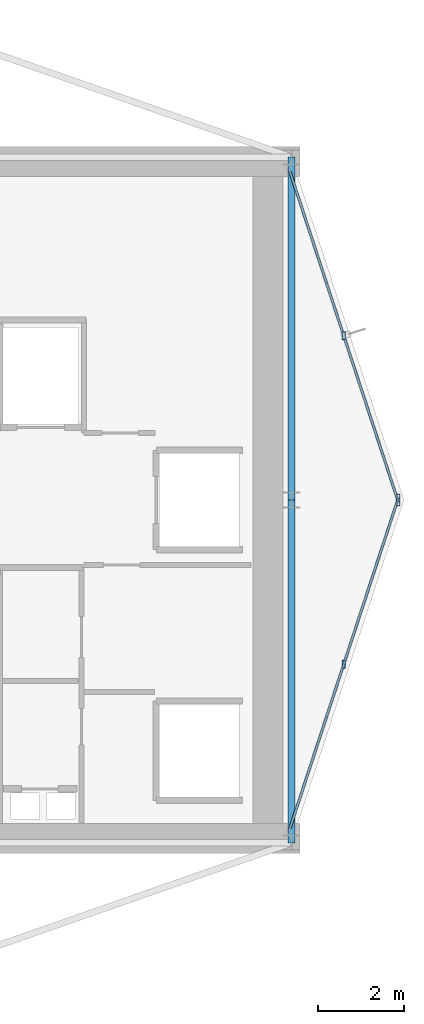
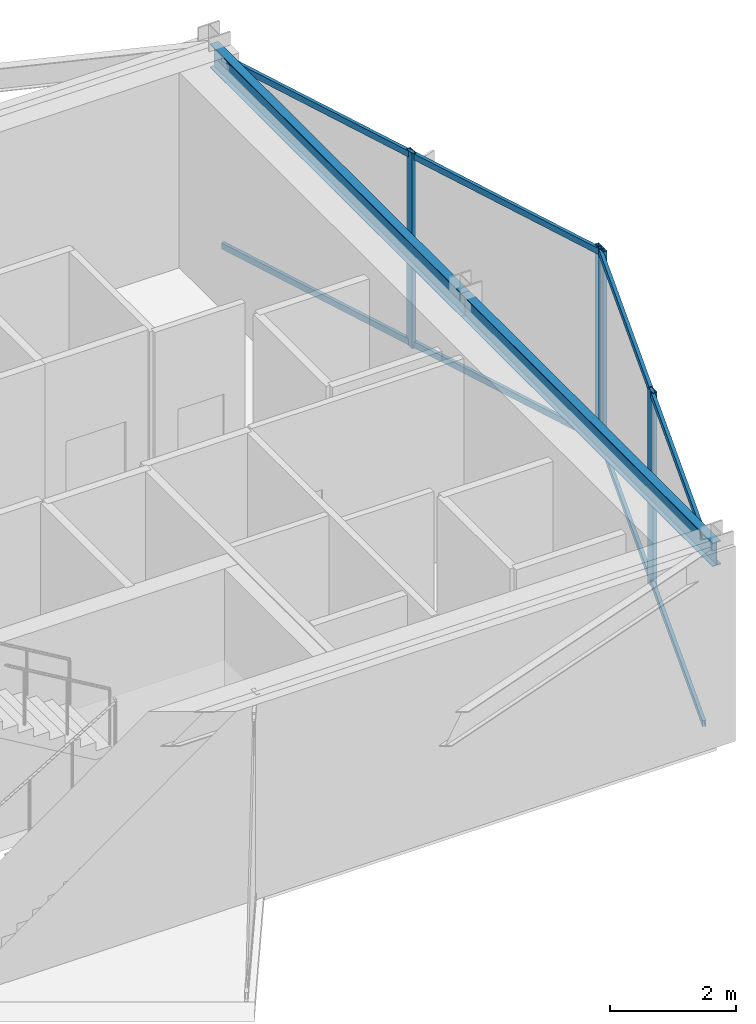
# One storey, part 15 of 23: 8 members, 2 beams, 2 elements without a shape of their own.
"""IFC4 building model written with IfcOpenShell, lengths in metres."""

import ifcopenshell
import ifcopenshell.guid

model = None  # the IFC model being written
_history = None  # IfcOwnerHistory: only IFC2X3 demands one
_inside = {}  # id of a spatial element -> (the spatial element, [elements in it])
_under = {}  # id of a project, library or spatial element -> (it, [spatial elements below it])
_declared = {}  # id of a project -> (the project, [libraries it declares])
_typed = {}  # id of a type object -> (the type object, [elements of that type])
_made_of = {}  # id of a material, layer set ... -> (it, [elements and type objects made of it])


def new_model(schema):
    """Start an empty IFC model of exactly this schema.

    Asked for "IFC4X3", IfcOpenShell would pick the latest addendum, in which some entities
    have other attributes; the version numbers below select the first issue.
    IFC2X3 requires an IfcOwnerHistory on every rooted entity: one is made here for all.
    """
    global model, _history
    if schema == "IFC4X3":
        model = ifcopenshell.file(schema_version=(4, 3, 0, 0))
    else:
        model = ifcopenshell.file(schema=schema)
    _inside.clear()
    _under.clear()
    _declared.clear()
    _typed.clear()
    _made_of.clear()
    _history = None
    if model.schema == "IFC2X3":
        org = make("IfcOrganization", Name="unknown")
        user = make(
            "IfcPersonAndOrganization",
            ThePerson=make("IfcPerson", FamilyName="unknown"),
            TheOrganization=org,
        )
        app = make(
            "IfcApplication",
            ApplicationDeveloper=org,
            Version="unknown",
            ApplicationFullName="unknown",
            ApplicationIdentifier="unknown",
        )
        _history = make(
            "IfcOwnerHistory",
            OwningUser=user,
            OwningApplication=app,
            ChangeAction="ADDED",
            CreationDate=0,
        )
    return model


def make(cls, **values):
    """One entity of the class cls with the attributes given. An attribute that is None is left unset."""
    return model.create_entity(
        cls, **{name: value for name, value in values.items() if value is not None}
    )


def rooted(cls, **values):
    """An entity with a GlobalId (a new one), such as an element, a storey or a relation."""
    return make(cls, GlobalId=ifcopenshell.guid.new(), OwnerHistory=_history, **values)


def si_unit(unit_type, name, prefix=None):
    """IfcSIUnit, for example si_unit("LENGTHUNIT", "METRE", prefix="MILLI")."""
    return make("IfcSIUnit", UnitType=unit_type, Prefix=prefix, Name=name)


def assignment(units):
    """IfcUnitAssignment: the units of a project."""
    return None if units is None else make("IfcUnitAssignment", Units=units)


def point(xyz):
    """IfcCartesianPoint."""
    return None if xyz is None else make("IfcCartesianPoint", Coordinates=xyz)


def direction(xyz):
    """IfcDirection."""
    return None if xyz is None else make("IfcDirection", DirectionRatios=xyz)


def frame(location, z_axis=None, x_axis=None):
    """IfcAxis2Placement3D, a coordinate frame: its origin and axes. An axis left out is left unset."""
    return make(
        "IfcAxis2Placement3D",
        Location=point(location),
        Axis=direction(z_axis),
        RefDirection=direction(x_axis),
    )


def frame_2d(location, x_axis=None):
    """IfcAxis2Placement2D, a coordinate frame in the plane: its origin and x axis."""
    return make(
        "IfcAxis2Placement2D", Location=point(location), RefDirection=direction(x_axis)
    )


def origin():
    """The frame at (0, 0, 0) with its axes left unset."""
    return frame((0.0, 0.0, 0.0))


def origin_2d():
    """The frame at (0, 0) in the plane with its x axis left unset."""
    return frame_2d((0.0, 0.0))


def place(relative_to, where):
    """IfcLocalPlacement: puts the frame where relative to a parent placement (None: the world)."""
    return make(
        "IfcLocalPlacement", PlacementRelTo=relative_to, RelativePlacement=where
    )


def context(
    kind, dimensions, precision=None, world=None, true_north=None, identifier=None
):
    """IfcGeometricRepresentationContext, for example the 3D "Model" context."""
    return make(
        "IfcGeometricRepresentationContext",
        ContextIdentifier=identifier,
        ContextType=kind,
        CoordinateSpaceDimension=dimensions,
        Precision=precision,
        WorldCoordinateSystem=world,
        TrueNorth=true_north,
    )


def subcontext(parent, identifier, kind, view, scale=None):
    """IfcGeometricRepresentationSubContext, for example "Body" below "Model"."""
    return make(
        "IfcGeometricRepresentationSubContext",
        ContextIdentifier=identifier,
        ContextType=kind,
        ParentContext=parent,
        TargetScale=scale,
        TargetView=view,
    )


def project(units=None, contexts=None):
    """IfcProject with its units and contexts."""
    return rooted(
        "IfcProject",
        Name="project",
        RepresentationContexts=contexts,
        UnitsInContext=assignment(units),
    )


def spatial(cls, under=None, at=None, **own):
    """A site, building, storey or space (cls), placed at a placement, below another one or the project."""
    s = rooted(cls, ObjectPlacement=at, **own)
    if under is not None:
        _under.setdefault(under.id(), (under, []))[1].append(s)
    return s


def profile(cls, at=None, kind="AREA", **sizes):
    """A parametric profile (cls). Its sizes go by their IFC names, for example OverallWidth=200.0."""
    return make(cls, ProfileType=kind, Position=at, **sizes)


def hollow_rectangle(**sizes):
    """IfcRectangleHollowProfileDef."""
    return profile("IfcRectangleHollowProfileDef", **sizes)


def i_section(**sizes):
    """IfcIShapeProfileDef."""
    return profile("IfcIShapeProfileDef", **sizes)


def extrude(swept, where, along, depth):
    """IfcExtrudedAreaSolid: the profile swept, set in the frame where, extruded along a direction by depth."""
    return make(
        "IfcExtrudedAreaSolid",
        SweptArea=swept,
        Position=where,
        ExtrudedDirection=direction(along),
        Depth=depth,
    )


def shape(context_of_items, identifier, shape_type, items):
    """IfcShapeRepresentation: the items that make up one representation, for example the "Body"."""
    return make(
        "IfcShapeRepresentation",
        ContextOfItems=context_of_items,
        RepresentationIdentifier=identifier,
        RepresentationType=shape_type,
        Items=items,
    )


def material(Name=None, Category=None):
    """IfcMaterial."""
    return make("IfcMaterial", Name=Name, Category=Category)


def layer(
    of_material, thickness, ventilated=None, Name=None, Category=None, Priority=None
):
    """IfcMaterialLayer: one layer of a wall or slab, of a material (None: an air gap)."""
    return make(
        "IfcMaterialLayer",
        Material=of_material,
        LayerThickness=thickness,
        IsVentilated=ventilated,
        Name=Name,
        Category=Category,
        Priority=Priority,
    )


def layer_set(layers, Name=None):
    """IfcMaterialLayerSet."""
    return make("IfcMaterialLayerSet", MaterialLayers=layers, LayerSetName=Name)


def material_profile(
    of_material, cross_section, Name=None, Category=None, Priority=None
):
    """IfcMaterialProfile: a cross section and its material."""
    return make(
        "IfcMaterialProfile",
        Name=Name,
        Material=of_material,
        Profile=cross_section,
        Priority=Priority,
        Category=Category,
    )


def profile_set(profiles, Name=None, composite=None):
    """IfcMaterialProfileSet."""
    return make(
        "IfcMaterialProfileSet",
        Name=Name,
        MaterialProfiles=profiles,
        CompositeProfile=composite,
    )


def made_of(thing, what):
    """Note that an element or type object is made of a material, layer set ...; save() writes the relation."""
    if what is not None:
        _made_of.setdefault(what.id(), (what, []))[1].append(thing)
    return thing


def type_object(cls, material=None, **own):
    """A type object (cls), such as IfcWallType, which elements share."""
    return made_of(rooted(cls, **own), material)


def element(
    cls,
    number,
    at=None,
    inside=None,
    cuts=None,
    type_object=None,
    material=None,
    context=None,
    identifier="Body",
    shape_type=None,
    held_by="IfcProductDefinitionShape",
    body=None,
    shapes=None,
    **own,
):
    """One element of the class cls, such as IfcWall. Its Tag is "e" and its number.

    at: its placement. inside: the storey or other place that contains it. cuts: it is an
    opening in that element (IfcRelVoidsElement). A single representation is given by context,
    identifier, shape_type and body (its items); several are given by shapes. held_by: the class
    of the entity that holds the representations. save() writes the other relations.
    """
    e = rooted(cls, Tag="e%d" % number, ObjectPlacement=at, **own)
    if body is not None:
        shapes = [shape(context, identifier, shape_type, body)]
    if shapes is not None:
        e.Representation = make(held_by, Representations=shapes)
    if inside is not None:
        _inside.setdefault(inside.id(), (inside, []))[1].append(e)
    if cuts is not None:
        rooted(
            "IfcRelVoidsElement", RelatingBuildingElement=cuts, RelatedOpeningElement=e
        )
    if type_object is not None:
        _typed.setdefault(type_object.id(), (type_object, []))[1].append(e)
    return made_of(e, material)


def aggregate(whole, parts):
    """IfcRelAggregates: a whole, such as a stair, and the parts it consists of."""
    return rooted("IfcRelAggregates", RelatingObject=whole, RelatedObjects=parts)


def save(model, path):
    """Write the relations noted so far, then the file.

    IfcRelAggregates (storeys below a building ...), IfcRelContainedInSpatialStructure (elements
    in a storey), IfcRelDefinesByType, IfcRelAssociatesMaterial and IfcRelDeclares: one each for
    every whole, place, type object, material and project.
    """
    for whole, parts in _under.values():
        aggregate(whole, parts)
    for where, things in _inside.values():
        rooted(
            "IfcRelContainedInSpatialStructure",
            RelatedElements=things,
            RelatingStructure=where,
        )
    for kind, things in _typed.values():
        rooted("IfcRelDefinesByType", RelatedObjects=things, RelatingType=kind)
    for what, things in _made_of.values():
        rooted("IfcRelAssociatesMaterial", RelatedObjects=things, RelatingMaterial=what)
    for by, libraries in _declared.values():
        rooted("IfcRelDeclares", RelatingContext=by, RelatedDefinitions=libraries)
    model.write(path)


model = new_model("IFC4")

# Units and contexts
model_context = context("Model", 3, precision=1e-05, world=origin(), true_north=direction((0.0, 1.0)))
body_context = subcontext(model_context, "Body", "Model", "MODEL_VIEW")
ifc_project = project(units=[si_unit("LENGTHUNIT", "METRE"), si_unit("AREAUNIT", "SQUARE_METRE"), si_unit("VOLUMEUNIT", "CUBIC_METRE"), si_unit("PLANEANGLEUNIT", "RADIAN"), si_unit("MASSUNIT", "GRAM", prefix="KILO")], contexts=[model_context])

# Site, building, storey
site_placement = place(None, origin())
site = spatial("IfcSite", under=ifc_project, at=site_placement, CompositionType="ELEMENT")
building_placement = place(site_placement, origin())
building = spatial("IfcBuilding", under=site, at=building_placement, Name="Veymaron Broadcast Tower", CompositionType="ELEMENT")
storey_placement = place(building_placement, frame((0.0, 0.0, 199.949951171875)))
storey = spatial("IfcBuildingStorey", under=building, at=storey_placement, Name="L46", CompositionType="ELEMENT", Elevation=199.949951171875)

# Beams
ifc_material_1 = material(Name="Structural steel ASTM A992 Gr 50", Category="steel")
ifc_material_profile_1 = material_profile(ifc_material_1, i_section(OverallWidth=0.154052734375, OverallDepth=0.458984375, WebThickness=0.009033203125, FlangeThickness=0.015380859375, at=origin_2d()), Name="W460X68")
ifc_profile_set_1 = profile_set([ifc_material_profile_1], Name="Structural steel ASTM A992 Gr 50")
beam_type = type_object("IfcBeamType", Name="BM-SP2", PredefinedType="SPANDREL", material=ifc_profile_set_1)
for number, where, z_axis, x_axis, name in (
    (1, (54.60009765625, 16.0, 3.560546875), (0.0, 1.0, 0.0), (-1.0, 0.0, 0.0), "L46 primary structural floor girder"),
    (2, (54.60009765625, 24.0, 3.560546875), (0.0, 1.0, 0.0), (-1.0, 0.0, 0.0), "L46 primary structural floor girder"),
):
    element("IfcBeam", number, at=place(storey_placement, frame(where, z_axis=z_axis, x_axis=x_axis)), inside=storey, type_object=beam_type, Name=name, PredefinedType="SPANDREL", context=body_context, shape_type="SweptSolid", body=[
        extrude(i_section(OverallWidth=0.154052734375, OverallDepth=0.458984375, WebThickness=0.009033203125, FlangeThickness=0.015380859375, at=origin_2d()), origin(), (0.0, 0.0, 1.0), 8.0),
    ])

# Curtain wall, members
ifc_material_2 = material(Name="Anodised aluminium AA 6063-T6 and laminated low-E dark glass", Category="aluminium")
ifc_layer = layer(ifc_material_2, 0.179931640625)
ifc_layer_set = layer_set([ifc_layer], Name="Anodised aluminium AA 6063-T6 and laminated low-E dark glass")
curtain_wall_type = type_object("IfcCurtainWallType", Name="CW-SYS-05", PredefinedType="NOTDEFINED", material=ifc_layer_set)
curtain_wall_1_placement = place(storey_placement, origin())
curtain_wall_1 = element("IfcCurtainWall", 3, at=curtain_wall_1_placement, inside=storey, type_object=curtain_wall_type, Name="L46 dark-glass curtain wall CW-L46-E2-1", PredefinedType="NOTDEFINED")
ifc_material_3 = material(Name="Anodised aluminium AA 6063-T6", Category="aluminium")
ifc_material_profile_2 = material_profile(ifc_material_3, hollow_rectangle(XDim=0.074951171875, YDim=0.179931640625, WallThickness=0.0048828125, at=origin_2d()), Name="AL180X75X5")
ifc_profile_set_2 = profile_set([ifc_material_profile_2], Name="Anodised aluminium AA 6063-T6")
member_type_1 = type_object("IfcMemberType", Name="CW-MUL-02", PredefinedType="MULLION", material=ifc_profile_set_2)
member_1_placement = place(storey_placement, frame((55.819580078125, 20.166015625, 0.0), z_axis=(0.0, 0.0, 1.0), x_axis=(1.0, 0.0, 0.0)))
member_1 = element("IfcMember", 4, at=member_1_placement, type_object=member_type_1, Name="CW-L46-E2-1 mullion 1", PredefinedType="MULLION", context=body_context, shape_type="SweptSolid", body=[
    extrude(hollow_rectangle(XDim=0.074951171875, YDim=0.179931640625, WallThickness=0.0048828125, at=origin_2d()), origin(), (0.0, 0.0, 1.0), 3.7900390625),
])
member_2_placement = place(storey_placement, frame((57.092041015625, 24.043701171875, 0.0), z_axis=(0.0, 0.0, 1.0), x_axis=(1.0, 0.0, 0.0)))
member_2 = element("IfcMember", 5, at=member_2_placement, type_object=member_type_1, Name="CW-L46-E2-1 mullion 2", PredefinedType="MULLION", context=body_context, shape_type="SweptSolid", body=[
    extrude(hollow_rectangle(XDim=0.074951171875, YDim=0.179931640625, WallThickness=0.0048828125, at=origin_2d()), origin(), (0.0, 0.0, 1.0), 3.7900390625),
])

curtain_wall_2_placement = place(storey_placement, origin())
curtain_wall_2 = element("IfcCurtainWall", 6, at=curtain_wall_2_placement, inside=storey, type_object=curtain_wall_type, Name="L46 dark-glass curtain wall CW-L46-E3-1", PredefinedType="NOTDEFINED")
member_3_placement = place(storey_placement, frame((57.092041015625, 23.956298828125, 0.0), z_axis=(0.0, 0.0, 1.0), x_axis=(1.0, 0.0, 0.0)))
member_3 = element("IfcMember", 7, at=member_3_placement, type_object=member_type_1, Name="CW-L46-E3-1 mullion 0", PredefinedType="MULLION", context=body_context, shape_type="SweptSolid", body=[
    extrude(hollow_rectangle(XDim=0.074951171875, YDim=0.179931640625, WallThickness=0.0048828125, at=origin_2d()), origin(), (0.0, 0.0, 1.0), 3.7900390625),
])
member_4_placement = place(storey_placement, frame((55.819580078125, 27.833984375, 0.0), z_axis=(0.0, 0.0, 1.0), x_axis=(1.0, 0.0, 0.0)))
member_4 = element("IfcMember", 8, at=member_4_placement, type_object=member_type_1, Name="CW-L46-E3-1 mullion 1", PredefinedType="MULLION", context=body_context, shape_type="SweptSolid", body=[
    extrude(hollow_rectangle(XDim=0.074951171875, YDim=0.179931640625, WallThickness=0.0048828125, at=origin_2d()), origin(), (0.0, 0.0, 1.0), 3.7900390625),
])

# Member
ifc_material_profile_3 = material_profile(ifc_material_3, hollow_rectangle(XDim=0.06005859375, YDim=0.1201171875, WallThickness=0.00390625, at=origin_2d()), Name="AL120X60X4")
ifc_profile_set_3 = profile_set([ifc_material_profile_3], Name="Anodised aluminium AA 6063-T6")
member_type_2 = type_object("IfcMemberType", Name="CW-TRN-02", PredefinedType="USERDEFINED", material=ifc_profile_set_3)
member_5_placement = place(storey_placement, frame((54.56298828125, 16.3359375, 0.070068359375), z_axis=(0.31176358302, 0.950159706735, 0.0), x_axis=(-0.950159706735, 0.31176358302, 0.0)))
member_5 = element("IfcMember", 9, at=member_5_placement, type_object=member_type_2, Name="CW-L46-E2-1 transom B", ObjectType="TRANSOM", PredefinedType="USERDEFINED", context=body_context, shape_type="SweptSolid", body=[
    extrude(hollow_rectangle(XDim=0.06005859375, YDim=0.1201171875, WallThickness=0.00390625, at=origin_2d()), origin(), (0.0, 0.0, 1.0), 8.06201171875),
])

member_6_placement = place(storey_placement, frame((54.56298828125, 16.3359375, 3.719970703125), z_axis=(0.31176358302, 0.950159706735, 0.0), x_axis=(-0.950159706735, 0.31176358302, 0.0)))
member_6 = element("IfcMember", 10, at=member_6_placement, type_object=member_type_2, Name="CW-L46-E2-1 transom T", ObjectType="TRANSOM", PredefinedType="USERDEFINED", context=body_context, shape_type="SweptSolid", body=[
    extrude(hollow_rectangle(XDim=0.06005859375, YDim=0.1201171875, WallThickness=0.00390625, at=origin_2d()), origin(), (0.0, 0.0, 1.0), 8.06201171875),
])

aggregate(curtain_wall_1, [member_1, member_2, member_5, member_6])

member_7_placement = place(storey_placement, frame((57.076416015625, 24.00390625, 0.070068359375), z_axis=(-0.31176358302, 0.950159706735, 0.0), x_axis=(-0.950159706735, -0.31176358302, 0.0)))
member_7 = element("IfcMember", 11, at=member_7_placement, type_object=member_type_2, Name="CW-L46-E3-1 transom B", ObjectType="TRANSOM", PredefinedType="USERDEFINED", context=body_context, shape_type="SweptSolid", body=[
    extrude(hollow_rectangle(XDim=0.06005859375, YDim=0.1201171875, WallThickness=0.00390625, at=origin_2d()), origin(), (0.0, 0.0, 1.0), 8.06201171875),
])

member_8_placement = place(storey_placement, frame((57.076416015625, 24.00390625, 3.719970703125), z_axis=(-0.31176358302, 0.950159706735, 0.0), x_axis=(-0.950159706735, -0.31176358302, 0.0)))
member_8 = element("IfcMember", 12, at=member_8_placement, type_object=member_type_2, Name="CW-L46-E3-1 transom T", ObjectType="TRANSOM", PredefinedType="USERDEFINED", context=body_context, shape_type="SweptSolid", body=[
    extrude(hollow_rectangle(XDim=0.06005859375, YDim=0.1201171875, WallThickness=0.00390625, at=origin_2d()), origin(), (0.0, 0.0, 1.0), 8.06201171875),
])

aggregate(curtain_wall_2, [member_3, member_4, member_7, member_8])

save(model, "model.ifc")
